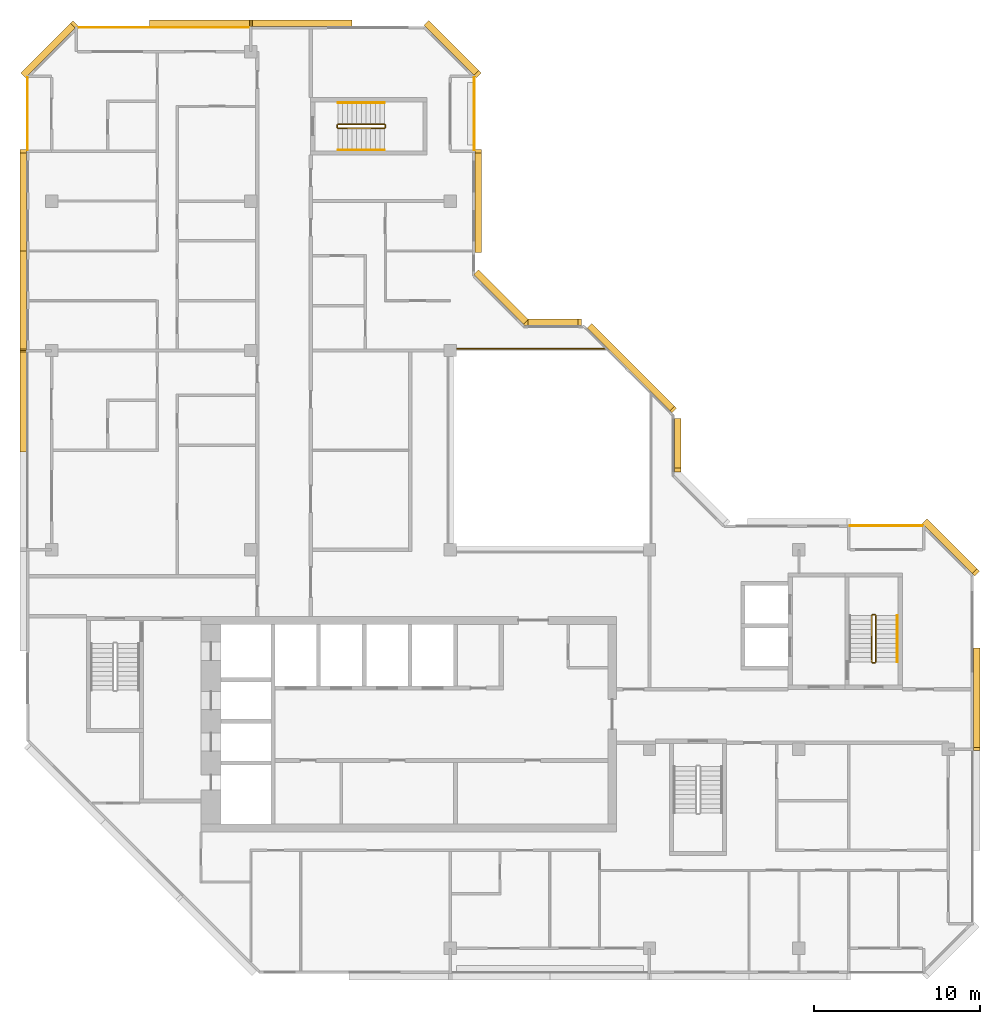
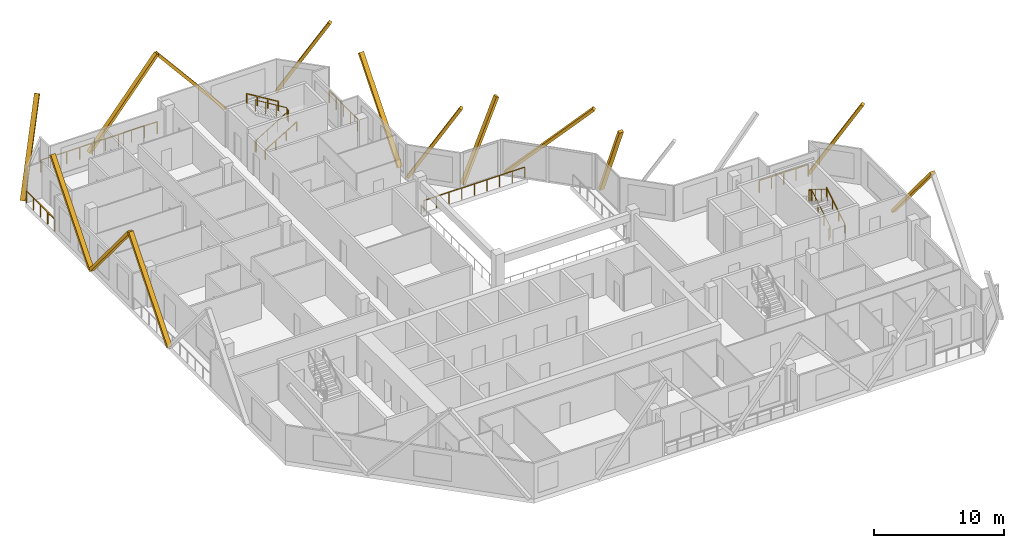
# One storey, part 12 of 12: 14 coverings, 10 railings.
"""IFC4 building model written with IfcOpenShell, lengths in metres."""

from ifc_helpers import new_model, si_unit, direction, frame, origin, origin_2d, place, context, subcontext, project, spatial, rectangle, extrude, material, material_profile, profile_set, type_object, element, save


model = new_model("IFC4")

# Units and contexts
model_context = context("Model", 3, precision=1e-05, world=origin(), true_north=direction((0.0, 1.0)))
body_context = subcontext(model_context, "Body", "Model", "MODEL_VIEW")
ifc_project = project(units=[si_unit("LENGTHUNIT", "METRE"), si_unit("AREAUNIT", "SQUARE_METRE"), si_unit("VOLUMEUNIT", "CUBIC_METRE"), si_unit("PLANEANGLEUNIT", "RADIAN"), si_unit("MASSUNIT", "GRAM", prefix="KILO")], contexts=[model_context])

# Site, building, storey
site_placement = place(None, origin())
site = spatial("IfcSite", under=ifc_project, at=site_placement, CompositionType="ELEMENT")
building_placement = place(site_placement, origin())
building = spatial("IfcBuilding", under=site, at=building_placement, Name="Chenar Terraces", CompositionType="ELEMENT")
storey_placement = place(building_placement, frame((0.0, 0.0, 338.89990234375)))
storey = spatial("IfcBuildingStorey", under=building, at=storey_placement, Name="L78", CompositionType="ELEMENT", Elevation=338.89990234375)

# Railings
ifc_material_1 = material(Name="Powder-coated steel", Category="steel")
railing_type_1 = type_object("IfcRailingType", Name="Guard 1100 steel rail with glass infill", PredefinedType="GUARDRAIL", material=ifc_material_1)
railing_1_placement = place(storey_placement, frame((24.425048828125, 36.10009765625, 0.0)))
element("IfcRailing", 1, at=railing_1_placement, inside=storey, type_object=railing_type_1, Name="Guard L78-2", PredefinedType="GUARDRAIL", context=body_context, shape_type="SweptSolid", body=[
    extrude(rectangle(XDim=0.06005859375, YDim=0.06005859375, at=origin_2d()), frame((0.0, 0.0, 1.070068359375), z_axis=(1.0, 0.0, 0.0), x_axis=(0.0, 1.0, 0.0)), (0.0, 0.0, 1.0), 8.974853515625),
    extrude(rectangle(XDim=0.050048828125, YDim=0.050048828125, at=origin_2d()), origin(), (0.0, 0.0, 1.0), 1.0400390625),
    extrude(rectangle(XDim=0.050048828125, YDim=0.050048828125, at=origin_2d()), frame((1.121826171875, 0.0, 0.0)), (0.0, 0.0, 1.0), 1.0400390625),
    extrude(rectangle(XDim=0.050048828125, YDim=0.050048828125, at=origin_2d()), frame((2.24365234375, 0.0, 0.0)), (0.0, 0.0, 1.0), 1.0400390625),
    extrude(rectangle(XDim=0.050048828125, YDim=0.050048828125, at=origin_2d()), frame((3.365478515625, 0.0, 0.0)), (0.0, 0.0, 1.0), 1.0400390625),
    extrude(rectangle(XDim=0.050048828125, YDim=0.050048828125, at=origin_2d()), frame((4.4873046875, 0.0, 0.0)), (0.0, 0.0, 1.0), 1.0400390625),
    extrude(rectangle(XDim=0.050048828125, YDim=0.050048828125, at=origin_2d()), frame((5.609375, 0.0, 0.0)), (0.0, 0.0, 1.0), 1.0400390625),
    extrude(rectangle(XDim=0.050048828125, YDim=0.050048828125, at=origin_2d()), frame((6.731201171875, 0.0, 0.0)), (0.0, 0.0, 1.0), 1.0400390625),
    extrude(rectangle(XDim=0.050048828125, YDim=0.050048828125, at=origin_2d()), frame((7.85302734375, 0.0, 0.0)), (0.0, 0.0, 1.0), 1.0400390625),
    extrude(rectangle(XDim=0.050048828125, YDim=0.050048828125, at=origin_2d()), frame((8.974853515625, 0.0, 0.0)), (0.0, 0.0, 1.0), 1.0400390625),
])
ifc_material_2 = material(Name="Stainless steel and glass", Category="steel")
railing_type_2 = type_object("IfcRailingType", Name="Loggia guard 1150", PredefinedType="GUARDRAIL", material=ifc_material_2)
railing_2_placement = place(storey_placement, frame((25.449951171875, 48.074951171875, 0.0)))
element("IfcRailing", 2, at=railing_2_placement, inside=storey, type_object=railing_type_2, Name="Loggia guard", PredefinedType="GUARDRAIL", context=body_context, shape_type="SweptSolid", body=[
    extrude(rectangle(XDim=0.048095703125, YDim=0.048095703125, at=origin_2d()), frame((0.0, 0.0, 1.1259765625), z_axis=(0.0, 1.0, 0.0), x_axis=(-1.0, 0.0, 0.0)), (0.0, 0.0, 1.0), 4.35009765625),
    extrude(rectangle(XDim=0.0419921875, YDim=0.0419921875, at=origin_2d()), origin(), (0.0, 0.0, 1.0), 1.101806640625),
    extrude(rectangle(XDim=0.0419921875, YDim=0.0419921875, at=origin_2d()), frame((0.0, 1.08740234375, 0.0)), (0.0, 0.0, 1.0), 1.101806640625),
    extrude(rectangle(XDim=0.0419921875, YDim=0.0419921875, at=origin_2d()), frame((0.0, 2.175048828125, 0.0)), (0.0, 0.0, 1.0), 1.101806640625),
    extrude(rectangle(XDim=0.0419921875, YDim=0.0419921875, at=origin_2d()), frame((0.0, 3.2626953125, 0.0)), (0.0, 0.0, 1.0), 1.101806640625),
    extrude(rectangle(XDim=0.0419921875, YDim=0.0419921875, at=origin_2d()), frame((0.0, 4.35009765625, 0.0)), (0.0, 0.0, 1.0), 1.101806640625),
])
railing_3_placement = place(storey_placement, frame((52.425048828125, 25.449951171875, 0.0)))
element("IfcRailing", 3, at=railing_3_placement, inside=storey, type_object=railing_type_2, Name="Loggia guard", PredefinedType="GUARDRAIL", context=body_context, shape_type="SweptSolid", body=[
    extrude(rectangle(XDim=0.048095703125, YDim=0.048095703125, at=origin_2d()), frame((0.0, 0.0, 1.1259765625), z_axis=(-1.0, 0.0, 0.0), x_axis=(0.0, -1.0, 0.0)), (0.0, 0.0, 1.0), 4.35009765625),
    extrude(rectangle(XDim=0.0419921875, YDim=0.0419921875, at=origin_2d()), origin(), (0.0, 0.0, 1.0), 1.101806640625),
    extrude(rectangle(XDim=0.0419921875, YDim=0.0419921875, at=origin_2d()), frame((-1.08740234375, 0.0, 0.0)), (0.0, 0.0, 1.0), 1.101806640625),
    extrude(rectangle(XDim=0.0419921875, YDim=0.0419921875, at=origin_2d()), frame((-2.175048828125, 0.0, 0.0)), (0.0, 0.0, 1.0), 1.101806640625),
    extrude(rectangle(XDim=0.0419921875, YDim=0.0419921875, at=origin_2d()), frame((-3.2626953125, 0.0, 0.0)), (0.0, 0.0, 1.0), 1.101806640625),
    extrude(rectangle(XDim=0.0419921875, YDim=0.0419921875, at=origin_2d()), frame((-4.35009765625, 0.0, 0.0)), (0.0, 0.0, 1.0), 1.101806640625),
])
railing_4_placement = place(storey_placement, frame((11.925048828125, 55.449951171875, 0.0)))
element("IfcRailing", 4, at=railing_4_placement, inside=storey, type_object=railing_type_2, Name="Loggia guard", PredefinedType="GUARDRAIL", context=body_context, shape_type="SweptSolid", body=[
    extrude(rectangle(XDim=0.048095703125, YDim=0.048095703125, at=origin_2d()), frame((0.0, 0.0, 1.1259765625), z_axis=(-1.0, 0.0, 0.0), x_axis=(0.0, -1.0, 0.0)), (0.0, 0.0, 1.0), 10.35009765625),
    extrude(rectangle(XDim=0.0419921875, YDim=0.0419921875, at=origin_2d()), origin(), (0.0, 0.0, 1.0), 1.101806640625),
    extrude(rectangle(XDim=0.0419921875, YDim=0.0419921875, at=origin_2d()), frame((-1.14990234375, 0.0, 0.0)), (0.0, 0.0, 1.0), 1.101806640625),
    extrude(rectangle(XDim=0.0419921875, YDim=0.0419921875, at=origin_2d()), frame((-2.300048828125, 0.0, 0.0)), (0.0, 0.0, 1.0), 1.101806640625),
    extrude(rectangle(XDim=0.0419921875, YDim=0.0419921875, at=origin_2d()), frame((-3.449951171875, 0.0, 0.0)), (0.0, 0.0, 1.0), 1.101806640625),
    extrude(rectangle(XDim=0.0419921875, YDim=0.0419921875, at=origin_2d()), frame((-4.60009765625, 0.0, 0.0)), (0.0, 0.0, 1.0), 1.101806640625),
    extrude(rectangle(XDim=0.0419921875, YDim=0.0419921875, at=origin_2d()), frame((-5.75, 0.0, 0.0)), (0.0, 0.0, 1.0), 1.101806640625),
    extrude(rectangle(XDim=0.0419921875, YDim=0.0419921875, at=origin_2d()), frame((-6.900146484375, 0.0, 0.0)), (0.0, 0.0, 1.0), 1.101806640625),
    extrude(rectangle(XDim=0.0419921875, YDim=0.0419921875, at=origin_2d()), frame((-8.050048828125, 0.0, 0.0)), (0.0, 0.0, 1.0), 1.101806640625),
    extrude(rectangle(XDim=0.0419921875, YDim=0.0419921875, at=origin_2d()), frame((-9.2001953125, 0.0, 0.0)), (0.0, 0.0, 1.0), 1.101806640625),
    extrude(rectangle(XDim=0.0419921875, YDim=0.0419921875, at=origin_2d()), frame((-10.35009765625, 0.0, 0.0)), (0.0, 0.0, 1.0), 1.101806640625),
])
railing_5_placement = place(storey_placement, frame((-1.449951171875, 52.425048828125, 0.0)))
element("IfcRailing", 5, at=railing_5_placement, inside=storey, type_object=railing_type_2, Name="Loggia guard", PredefinedType="GUARDRAIL", context=body_context, shape_type="SweptSolid", body=[
    extrude(rectangle(XDim=0.048095703125, YDim=0.048095703125, at=origin_2d()), frame((0.0, 0.0, 1.1259765625), z_axis=(0.0, -1.0, 0.0), x_axis=(1.0, 0.0, 0.0)), (0.0, 0.0, 1.0), 4.35009765625),
    extrude(rectangle(XDim=0.0419921875, YDim=0.0419921875, at=origin_2d()), origin(), (0.0, 0.0, 1.0), 1.101806640625),
    extrude(rectangle(XDim=0.0419921875, YDim=0.0419921875, at=origin_2d()), frame((0.0, -1.08740234375, 0.0)), (0.0, 0.0, 1.0), 1.101806640625),
    extrude(rectangle(XDim=0.0419921875, YDim=0.0419921875, at=origin_2d()), frame((0.0, -2.175048828125, 0.0)), (0.0, 0.0, 1.0), 1.101806640625),
    extrude(rectangle(XDim=0.0419921875, YDim=0.0419921875, at=origin_2d()), frame((0.0, -3.2626953125, 0.0)), (0.0, 0.0, 1.0), 1.101806640625),
    extrude(rectangle(XDim=0.0419921875, YDim=0.0419921875, at=origin_2d()), frame((0.0, -4.35009765625, 0.0)), (0.0, 0.0, 1.0), 1.101806640625),
])
ifc_material_3 = material(Name="Powder-coated steel", Category="steel")
railing_type_3 = type_object("IfcRailingType", Name="Stair guard 1100", PredefinedType="GUARDRAIL", material=ifc_material_3)
railing_6_placement = place(storey_placement, frame((49.375, 17.25, 3.75)))
element("IfcRailing", 6, at=railing_6_placement, inside=storey, type_object=railing_type_3, Name="L78 ST3 stair guard 1", PredefinedType="GUARDRAIL", context=body_context, shape_type="SweptSolid", body=[
    extrude(rectangle(XDim=0.048095703125, YDim=0.048095703125, at=origin_2d()), frame((0.0, 0.0, 1.076171875), z_axis=(0.0, 0.854202870247, -0.519939858505), x_axis=(-1.0, 0.0, 0.0)), (0.0, 0.0, 1.0), 3.278076171875),
    extrude(rectangle(XDim=0.048095703125, YDim=0.048095703125, at=origin_2d()), frame((0.0, 2.800048828125, -0.62841796875), z_axis=(0.270899902878, 0.270899902878, -0.923702595667), x_axis=(-0.707106781187, 0.707106781187, 0.0)), (0.0, 0.0, 1.0), 0.184814453125),
    extrude(rectangle(XDim=0.048095703125, YDim=0.048095703125, at=origin_2d()), frame((0.050048828125, 2.85009765625, -0.798828125), z_axis=(1.0, 0.0, 0.0), x_axis=(0.0, 1.0, 0.0)), (0.0, 0.0, 1.0), 0.14990234375),
    extrude(rectangle(XDim=0.048095703125, YDim=0.048095703125, at=origin_2d()), frame((0.199951171875, 2.85009765625, -0.798828125), z_axis=(0.707106781187, -0.707106781187, 0.0), x_axis=(0.707106781187, 0.707106781187, 0.0)), (0.0, 0.0, 1.0), 0.07080078125),
    extrude(rectangle(XDim=0.048095703125, YDim=0.048095703125, at=origin_2d()), frame((0.25, 2.800048828125, -0.798828125), z_axis=(0.0, -0.854202870247, -0.519939858505), x_axis=(1.0, 0.0, 0.0)), (0.0, 0.0, 1.0), 3.278076171875),
    extrude(rectangle(XDim=0.048095703125, YDim=0.048095703125, at=origin_2d()), frame((0.25, 0.0, -2.50341796875), z_axis=(-0.270899902878, -0.270899902878, -0.923702595667), x_axis=(0.707106781187, -0.707106781187, 0.0)), (0.0, 0.0, 1.0), 0.184814453125),
    extrude(rectangle(XDim=0.048095703125, YDim=0.048095703125, at=origin_2d()), frame((0.199951171875, -0.050048828125, -2.673828125), z_axis=(-1.0, 0.0, 0.0), x_axis=(0.0, -1.0, 0.0)), (0.0, 0.0, 1.0), 0.14990234375),
    extrude(rectangle(XDim=0.0419921875, YDim=0.0419921875, at=origin_2d()), origin(), (0.0, 0.0, 1.0), 1.052001953125),
    extrude(rectangle(XDim=0.0419921875, YDim=0.0419921875, at=origin_2d()), frame((0.0, 0.933349609375, -0.568115234375)), (0.0, 0.0, 1.0), 1.052001953125),
    extrude(rectangle(XDim=0.0419921875, YDim=0.0419921875, at=origin_2d()), frame((0.0, 1.86669921875, -1.13623046875)), (0.0, 0.0, 1.0), 1.052001953125),
    extrude(rectangle(XDim=0.0419921875, YDim=0.0419921875, at=origin_2d()), frame((0.0, 2.800048828125, -1.704345703125)), (0.0, 0.0, 1.0), 1.052001953125),
    extrude(rectangle(XDim=0.0419921875, YDim=0.0419921875, at=origin_2d()), frame((0.050048828125, 2.85009765625, -1.875)), (0.0, 0.0, 1.0), 1.052001953125),
    extrude(rectangle(XDim=0.0419921875, YDim=0.0419921875, at=origin_2d()), frame((0.199951171875, 2.85009765625, -1.875)), (0.0, 0.0, 1.0), 1.052001953125),
    extrude(rectangle(XDim=0.0419921875, YDim=0.0419921875, at=origin_2d()), frame((0.25, 2.800048828125, -1.875)), (0.0, 0.0, 1.0), 1.052001953125),
    extrude(rectangle(XDim=0.0419921875, YDim=0.0419921875, at=origin_2d()), frame((0.25, 1.86669921875, -2.443115234375)), (0.0, 0.0, 1.0), 1.052001953125),
    extrude(rectangle(XDim=0.0419921875, YDim=0.0419921875, at=origin_2d()), frame((0.25, 0.933349609375, -3.01123046875)), (0.0, 0.0, 1.0), 1.052001953125),
    extrude(rectangle(XDim=0.0419921875, YDim=0.0419921875, at=origin_2d()), frame((0.25, 0.0, -3.579345703125)), (0.0, 0.0, 1.0), 1.052001953125),
    extrude(rectangle(XDim=0.0419921875, YDim=0.0419921875, at=origin_2d()), frame((0.199951171875, -0.050048828125, -3.75)), (0.0, 0.0, 1.0), 1.052001953125),
    extrude(rectangle(XDim=0.0419921875, YDim=0.0419921875, at=origin_2d()), frame((0.050048828125, -0.050048828125, -3.75)), (0.0, 0.0, 1.0), 1.052001953125),
])
railing_7_placement = place(storey_placement, frame((17.25, 49.625, 3.75)))
element("IfcRailing", 7, at=railing_7_placement, inside=storey, type_object=railing_type_3, Name="L78 ST4 stair guard 1", PredefinedType="GUARDRAIL", context=body_context, shape_type="SweptSolid", body=[
    extrude(rectangle(XDim=0.048095703125, YDim=0.048095703125, at=origin_2d()), frame((0.0, 0.0, 1.076171875), z_axis=(0.854202870247, 0.0, -0.519939858505), x_axis=(0.0, 1.0, 0.0)), (0.0, 0.0, 1.0), 3.278076171875),
    extrude(rectangle(XDim=0.048095703125, YDim=0.048095703125, at=origin_2d()), frame((2.800048828125, 0.0, -0.62841796875), z_axis=(0.270899902878, -0.270899902878, -0.923702595667), x_axis=(0.707106781187, 0.707106781187, 0.0)), (0.0, 0.0, 1.0), 0.184814453125),
    extrude(rectangle(XDim=0.048095703125, YDim=0.048095703125, at=origin_2d()), frame((2.85009765625, -0.050048828125, -0.798828125), z_axis=(0.0, -1.0, 0.0), x_axis=(1.0, 0.0, 0.0)), (0.0, 0.0, 1.0), 0.14990234375),
    extrude(rectangle(XDim=0.048095703125, YDim=0.048095703125, at=origin_2d()), frame((2.85009765625, -0.199951171875, -0.798828125), z_axis=(-0.707106781187, -0.707106781187, 0.0), x_axis=(0.707106781187, -0.707106781187, 0.0)), (0.0, 0.0, 1.0), 0.07080078125),
    extrude(rectangle(XDim=0.048095703125, YDim=0.048095703125, at=origin_2d()), frame((2.800048828125, -0.25, -0.798828125), z_axis=(-0.854202870247, 0.0, -0.519939858505), x_axis=(0.0, -1.0, 0.0)), (0.0, 0.0, 1.0), 3.278076171875),
    extrude(rectangle(XDim=0.048095703125, YDim=0.048095703125, at=origin_2d()), frame((0.0, -0.25, -2.50341796875), z_axis=(-0.270899902878, 0.270899902878, -0.923702595667), x_axis=(-0.707106781187, -0.707106781187, 0.0)), (0.0, 0.0, 1.0), 0.184814453125),
    extrude(rectangle(XDim=0.048095703125, YDim=0.048095703125, at=origin_2d()), frame((-0.050048828125, -0.199951171875, -2.673828125), z_axis=(0.0, 1.0, 0.0), x_axis=(-1.0, 0.0, 0.0)), (0.0, 0.0, 1.0), 0.14990234375),
    extrude(rectangle(XDim=0.0419921875, YDim=0.0419921875, at=origin_2d()), origin(), (0.0, 0.0, 1.0), 1.052001953125),
    extrude(rectangle(XDim=0.0419921875, YDim=0.0419921875, at=origin_2d()), frame((0.933349609375, 0.0, -0.568115234375)), (0.0, 0.0, 1.0), 1.052001953125),
    extrude(rectangle(XDim=0.0419921875, YDim=0.0419921875, at=origin_2d()), frame((1.86669921875, 0.0, -1.13623046875)), (0.0, 0.0, 1.0), 1.052001953125),
    extrude(rectangle(XDim=0.0419921875, YDim=0.0419921875, at=origin_2d()), frame((2.800048828125, 0.0, -1.704345703125)), (0.0, 0.0, 1.0), 1.052001953125),
    extrude(rectangle(XDim=0.0419921875, YDim=0.0419921875, at=origin_2d()), frame((2.85009765625, -0.050048828125, -1.875)), (0.0, 0.0, 1.0), 1.052001953125),
    extrude(rectangle(XDim=0.0419921875, YDim=0.0419921875, at=origin_2d()), frame((2.85009765625, -0.199951171875, -1.875)), (0.0, 0.0, 1.0), 1.052001953125),
    extrude(rectangle(XDim=0.0419921875, YDim=0.0419921875, at=origin_2d()), frame((2.800048828125, -0.25, -1.875)), (0.0, 0.0, 1.0), 1.052001953125),
    extrude(rectangle(XDim=0.0419921875, YDim=0.0419921875, at=origin_2d()), frame((1.86669921875, -0.25, -2.443115234375)), (0.0, 0.0, 1.0), 1.052001953125),
    extrude(rectangle(XDim=0.0419921875, YDim=0.0419921875, at=origin_2d()), frame((0.933349609375, -0.25, -3.01123046875)), (0.0, 0.0, 1.0), 1.052001953125),
    extrude(rectangle(XDim=0.0419921875, YDim=0.0419921875, at=origin_2d()), frame((0.0, -0.25, -3.579345703125)), (0.0, 0.0, 1.0), 1.052001953125),
    extrude(rectangle(XDim=0.0419921875, YDim=0.0419921875, at=origin_2d()), frame((-0.050048828125, -0.199951171875, -3.75)), (0.0, 0.0, 1.0), 1.052001953125),
    extrude(rectangle(XDim=0.0419921875, YDim=0.0419921875, at=origin_2d()), frame((-0.050048828125, -0.050048828125, -3.75)), (0.0, 0.0, 1.0), 1.052001953125),
])
ifc_material_4 = material(Name="Powder-coated steel", Category="steel")
railing_type_4 = type_object("IfcRailingType", Name="Stair handrail 900", PredefinedType="HANDRAIL", material=ifc_material_4)
railing_8_placement = place(storey_placement, frame((50.925048828125, 17.25, 0.170654296875)))
element("IfcRailing", 8, at=railing_8_placement, inside=storey, type_object=railing_type_4, Name="L78 ST3 stair handrail 1", PredefinedType="HANDRAIL", context=body_context, shape_type="SweptSolid", body=[
    extrude(rectangle(XDim=0.048095703125, YDim=0.048095703125, at=origin_2d()), frame((0.0, 0.0, 0.8759765625), z_axis=(0.0, 0.854202870247, 0.519939858505), x_axis=(-1.0, 0.0, 0.0)), (0.0, 0.0, 1.0), 3.278076171875),
    extrude(rectangle(XDim=0.0419921875, YDim=0.0419921875, at=origin_2d()), origin(), (0.0, 0.0, 1.0), 0.851806640625),
    extrude(rectangle(XDim=0.0419921875, YDim=0.0419921875, at=origin_2d()), frame((0.0, 0.933349609375, 0.568115234375)), (0.0, 0.0, 1.0), 0.851806640625),
    extrude(rectangle(XDim=0.0419921875, YDim=0.0419921875, at=origin_2d()), frame((0.0, 1.86669921875, 1.13623046875)), (0.0, 0.0, 1.0), 0.851806640625),
    extrude(rectangle(XDim=0.0419921875, YDim=0.0419921875, at=origin_2d()), frame((0.0, 2.800048828125, 1.704345703125)), (0.0, 0.0, 1.0), 0.851806640625),
])
railing_9_placement = place(storey_placement, frame((17.25, 48.074951171875, 0.170654296875)))
element("IfcRailing", 9, at=railing_9_placement, inside=storey, type_object=railing_type_4, Name="L78 ST4 stair handrail 1", PredefinedType="HANDRAIL", context=body_context, shape_type="SweptSolid", body=[
    extrude(rectangle(XDim=0.048095703125, YDim=0.048095703125, at=origin_2d()), frame((0.0, 0.0, 0.8759765625), z_axis=(0.854202870247, 0.0, 0.519939858505), x_axis=(0.0, 1.0, 0.0)), (0.0, 0.0, 1.0), 3.278076171875),
    extrude(rectangle(XDim=0.0419921875, YDim=0.0419921875, at=origin_2d()), origin(), (0.0, 0.0, 1.0), 0.851806640625),
    extrude(rectangle(XDim=0.0419921875, YDim=0.0419921875, at=origin_2d()), frame((0.933349609375, 0.0, 0.568115234375)), (0.0, 0.0, 1.0), 0.851806640625),
    extrude(rectangle(XDim=0.0419921875, YDim=0.0419921875, at=origin_2d()), frame((1.86669921875, 0.0, 1.13623046875)), (0.0, 0.0, 1.0), 0.851806640625),
    extrude(rectangle(XDim=0.0419921875, YDim=0.0419921875, at=origin_2d()), frame((2.800048828125, 0.0, 1.704345703125)), (0.0, 0.0, 1.0), 0.851806640625),
])
railing_10_placement = place(storey_placement, frame((20.050048828125, 50.925048828125, 2.045654296875)))
element("IfcRailing", 10, at=railing_10_placement, inside=storey, type_object=railing_type_4, Name="L78 ST4 stair handrail 2", PredefinedType="HANDRAIL", context=body_context, shape_type="SweptSolid", body=[
    extrude(rectangle(XDim=0.048095703125, YDim=0.048095703125, at=origin_2d()), frame((0.0, 0.0, 0.8759765625), z_axis=(-0.854202870247, 0.0, 0.519939858505), x_axis=(0.0, -1.0, 0.0)), (0.0, 0.0, 1.0), 3.278076171875),
    extrude(rectangle(XDim=0.0419921875, YDim=0.0419921875, at=origin_2d()), origin(), (0.0, 0.0, 1.0), 0.851806640625),
    extrude(rectangle(XDim=0.0419921875, YDim=0.0419921875, at=origin_2d()), frame((-0.933349609375, 0.0, 0.568115234375)), (0.0, 0.0, 1.0), 0.851806640625),
    extrude(rectangle(XDim=0.0419921875, YDim=0.0419921875, at=origin_2d()), frame((-1.86669921875, 0.0, 1.13623046875)), (0.0, 0.0, 1.0), 0.851806640625),
    extrude(rectangle(XDim=0.0419921875, YDim=0.0419921875, at=origin_2d()), frame((-2.800048828125, 0.0, 1.704345703125)), (0.0, 0.0, 1.0), 0.851806640625),
])

# Coverings
ifc_material_5 = material(Name="Terracotta", Category="masonry")
ifc_material_profile = material_profile(ifc_material_5, rectangle(XDim=0.39990234375, YDim=0.25, at=origin_2d()), Name="Terracotta baguette 400 x 250")
ifc_profile_set = profile_set([ifc_material_profile], Name="Terracotta")
covering_type = type_object("IfcCoveringType", Name="Terracotta baguette 400 x 250", PredefinedType="CLADDING", material=ifc_profile_set)
covering_1_placement = place(storey_placement, frame((37.699951171875, 28.800048828125, 7.35009765625), z_axis=(0.0, 0.384617607118, -0.923075997031), x_axis=(-1.0, 0.0, 0.0)))
element("IfcCovering", 11, at=covering_1_placement, inside=storey, type_object=covering_type, Name="Terracotta baguette", PredefinedType="CLADDING", context=body_context, shape_type="SweptSolid", body=[
    extrude(rectangle(XDim=0.39990234375, YDim=0.25, at=origin_2d()), origin(), (0.0, 0.0, 1.0), 7.800048828125),
])
covering_2_placement = place(storey_placement, frame((37.42919921875, 32.45361328125, 7.35009765625), z_axis=(-0.494222393737, 0.4942466441, -0.715167449151), x_axis=(-0.707124128605, -0.707089433343, 0.0)))
element("IfcCovering", 12, at=covering_2_placement, inside=storey, type_object=covering_type, Name="Terracotta baguette", PredefinedType="CLADDING", context=body_context, shape_type="SweptSolid", body=[
    extrude(rectangle(XDim=0.39990234375, YDim=0.25, at=origin_2d()), origin(), (0.0, 0.0, 1.0), 10.0673828125),
])
covering_3_placement = place(storey_placement, frame((31.800048828125, 37.699951171875, 7.35009765625), z_axis=(-0.384617607118, 0.0, -0.923075997031), x_axis=(0.0, -1.0, 0.0)))
element("IfcCovering", 13, at=covering_3_placement, inside=storey, type_object=covering_type, Name="Terracotta baguette", PredefinedType="CLADDING", context=body_context, shape_type="SweptSolid", body=[
    extrude(rectangle(XDim=0.39990234375, YDim=0.25, at=origin_2d()), origin(), (0.0, 0.0, 1.0), 7.800048828125),
])
covering_4_placement = place(storey_placement, frame((28.641357421875, 37.641357421875, 7.35009765625), z_axis=(-0.358980886355, 0.358980886355, -0.861548284464), x_axis=(-0.707106781187, -0.707106781187, 0.0)))
element("IfcCovering", 14, at=covering_4_placement, inside=storey, type_object=covering_type, Name="Terracotta baguette", PredefinedType="CLADDING", context=body_context, shape_type="SweptSolid", body=[
    extrude(rectangle(XDim=0.39990234375, YDim=0.25, at=origin_2d()), origin(), (0.0, 0.0, 1.0), 8.35693359375),
])
covering_5_placement = place(storey_placement, frame((25.699951171875, 42.0, 0.150146484375), z_axis=(0.0, 0.640186961885, 0.768219144407), x_axis=(-1.0, 0.0, 0.0)))
element("IfcCovering", 15, at=covering_5_placement, inside=storey, type_object=covering_type, Name="Terracotta baguette", PredefinedType="CLADDING", context=body_context, shape_type="SweptSolid", body=[
    extrude(rectangle(XDim=0.39990234375, YDim=0.25, at=origin_2d()), origin(), (0.0, 0.0, 1.0), 9.372314453125),
])
covering_6_placement = place(storey_placement, frame((25.641357421875, 52.641357421875, 7.35009765625), z_axis=(-0.358980886355, 0.358980886355, -0.861548284464), x_axis=(-0.707106781187, -0.707106781187, 0.0)))
element("IfcCovering", 16, at=covering_6_placement, inside=storey, type_object=covering_type, Name="Terracotta baguette", PredefinedType="CLADDING", context=body_context, shape_type="SweptSolid", body=[
    extrude(rectangle(XDim=0.39990234375, YDim=0.25, at=origin_2d()), origin(), (0.0, 0.0, 1.0), 8.35693359375),
])
for number, where, z_axis, x_axis, name in (
    (17, (18.0, 55.699951171875, 0.150146484375), (-0.640186961885, 0.0, 0.768219144407), (0.0, -1.0, 0.0), "Terracotta baguette"),
    (18, (12.0, 55.699951171875, 7.35009765625), (-0.640186961885, 0.0, -0.768219144407), (0.0, -1.0, 0.0), "Terracotta baguette"),
):
    element("IfcCovering", number, at=place(storey_placement, frame(where, z_axis=z_axis, x_axis=x_axis)), inside=storey, type_object=covering_type, Name=name, PredefinedType="CLADDING", context=body_context, shape_type="SweptSolid", body=[
        extrude(rectangle(XDim=0.39990234375, YDim=0.25, at=origin_2d()), origin(), (0.0, 0.0, 1.0), 9.372314453125),
    ])
covering_7_placement = place(storey_placement, frame((1.358642578125, 55.641357421875, 7.35009765625), z_axis=(-0.358980886355, -0.358980886355, -0.861548284464), x_axis=(0.707106781187, -0.707106781187, 0.0)))
element("IfcCovering", 19, at=covering_7_placement, inside=storey, type_object=covering_type, Name="Terracotta baguette", PredefinedType="CLADDING", context=body_context, shape_type="SweptSolid", body=[
    extrude(rectangle(XDim=0.39990234375, YDim=0.25, at=origin_2d()), origin(), (0.0, 0.0, 1.0), 8.35693359375),
])
for number, where, z_axis, x_axis, name in (
    (20, (-1.699951171875, 48.0, 7.35009765625), (0.0, -0.640186961885, -0.768219144407), (1.0, 0.0, 0.0), "Terracotta baguette"),
    (21, (-1.699951171875, 42.0, 0.150146484375), (0.0, -0.640186961885, 0.768219144407), (1.0, 0.0, 0.0), "Terracotta baguette"),
    (22, (-1.699951171875, 36.0, 7.35009765625), (0.0, -0.640186961885, -0.768219144407), (1.0, 0.0, 0.0), "Terracotta baguette"),
    (23, (55.699951171875, 12.0, 7.35009765625), (0.0, 0.640186961885, -0.768219144407), (-1.0, 0.0, 0.0), "Terracotta baguette"),
):
    element("IfcCovering", number, at=place(storey_placement, frame(where, z_axis=z_axis, x_axis=x_axis)), inside=storey, type_object=covering_type, Name=name, PredefinedType="CLADDING", context=body_context, shape_type="SweptSolid", body=[
        extrude(rectangle(XDim=0.39990234375, YDim=0.25, at=origin_2d()), origin(), (0.0, 0.0, 1.0), 9.372314453125),
    ])
covering_8_placement = place(storey_placement, frame((55.641357421875, 22.641357421875, 7.35009765625), z_axis=(-0.358980886355, 0.358980886355, -0.861548284464), x_axis=(-0.707106781187, -0.707106781187, 0.0)))
element("IfcCovering", 24, at=covering_8_placement, inside=storey, type_object=covering_type, Name="Terracotta baguette", PredefinedType="CLADDING", context=body_context, shape_type="SweptSolid", body=[
    extrude(rectangle(XDim=0.39990234375, YDim=0.25, at=origin_2d()), origin(), (0.0, 0.0, 1.0), 8.35693359375),
])

save(model, "model.ifc")
